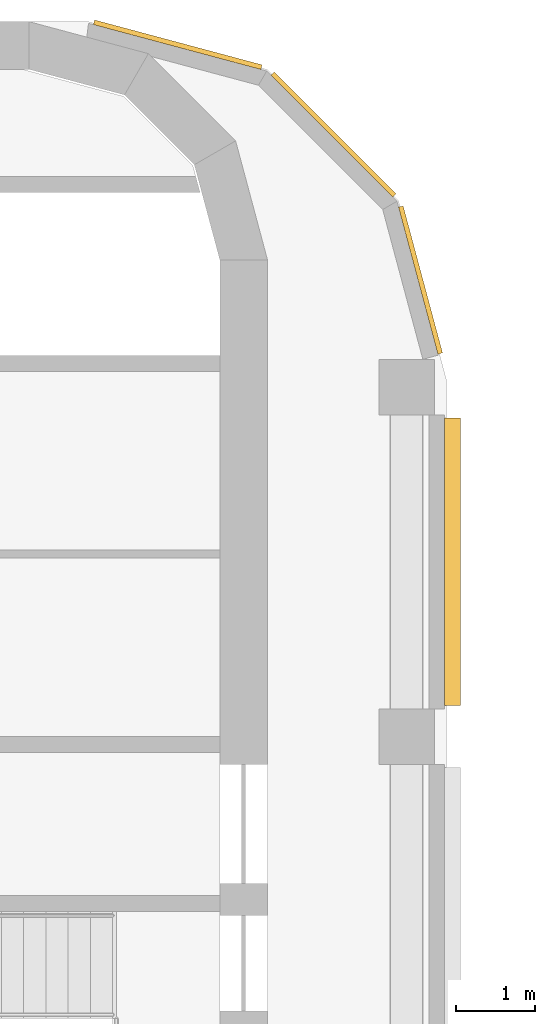
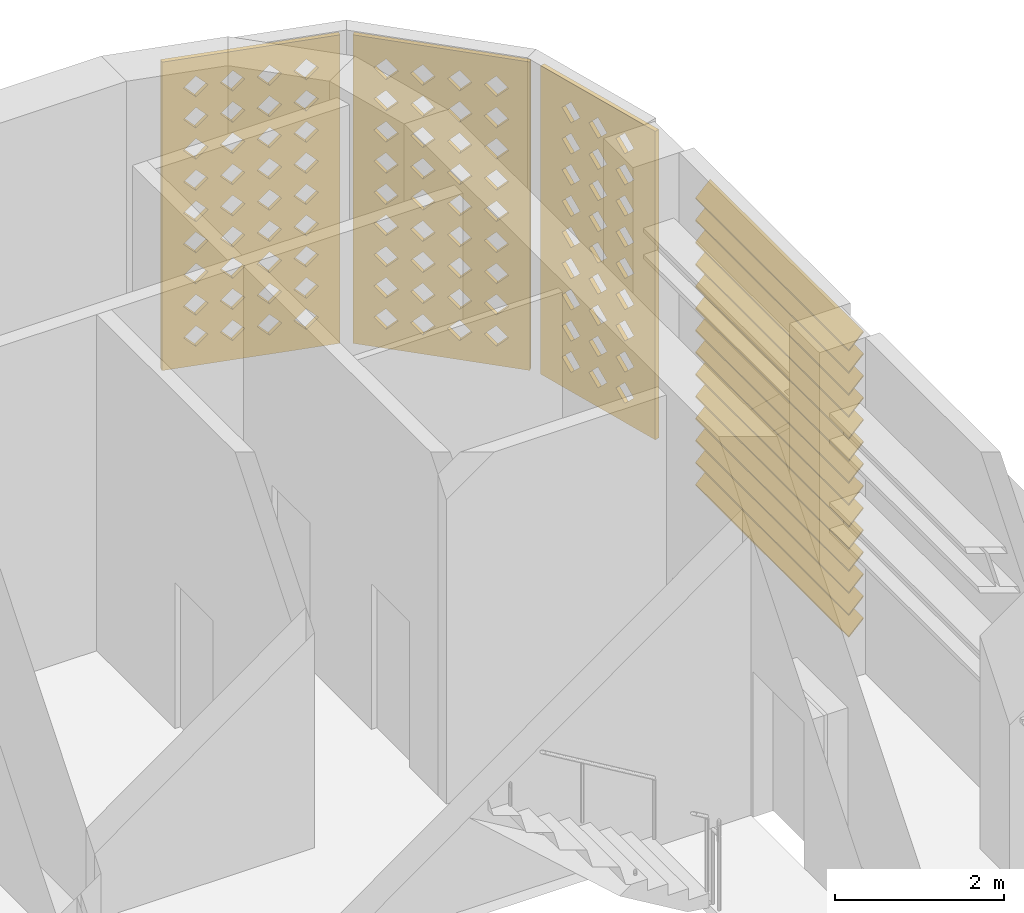
# One storey, part 19 of 20: 3 coverings, 1 shading device.
"""IFC4 building model written with IfcOpenShell, lengths in metres."""

import ifcopenshell
import ifcopenshell.guid

model = None  # the IFC model being written
_history = None  # IfcOwnerHistory: only IFC2X3 demands one
_inside = {}  # id of a spatial element -> (the spatial element, [elements in it])
_under = {}  # id of a project, library or spatial element -> (it, [spatial elements below it])
_declared = {}  # id of a project -> (the project, [libraries it declares])
_typed = {}  # id of a type object -> (the type object, [elements of that type])
_made_of = {}  # id of a material, layer set ... -> (it, [elements and type objects made of it])


def new_model(schema):
    """Start an empty IFC model of exactly this schema.

    Asked for "IFC4X3", IfcOpenShell would pick the latest addendum, in which some entities
    have other attributes; the version numbers below select the first issue.
    IFC2X3 requires an IfcOwnerHistory on every rooted entity: one is made here for all.
    """
    global model, _history
    if schema == "IFC4X3":
        model = ifcopenshell.file(schema_version=(4, 3, 0, 0))
    else:
        model = ifcopenshell.file(schema=schema)
    _inside.clear()
    _under.clear()
    _declared.clear()
    _typed.clear()
    _made_of.clear()
    _history = None
    if model.schema == "IFC2X3":
        org = make("IfcOrganization", Name="unknown")
        user = make(
            "IfcPersonAndOrganization",
            ThePerson=make("IfcPerson", FamilyName="unknown"),
            TheOrganization=org,
        )
        app = make(
            "IfcApplication",
            ApplicationDeveloper=org,
            Version="unknown",
            ApplicationFullName="unknown",
            ApplicationIdentifier="unknown",
        )
        _history = make(
            "IfcOwnerHistory",
            OwningUser=user,
            OwningApplication=app,
            ChangeAction="ADDED",
            CreationDate=0,
        )
    return model


def make(cls, **values):
    """One entity of the class cls with the attributes given. An attribute that is None is left unset."""
    return model.create_entity(
        cls, **{name: value for name, value in values.items() if value is not None}
    )


def rooted(cls, **values):
    """An entity with a GlobalId (a new one), such as an element, a storey or a relation."""
    return make(cls, GlobalId=ifcopenshell.guid.new(), OwnerHistory=_history, **values)


def si_unit(unit_type, name, prefix=None):
    """IfcSIUnit, for example si_unit("LENGTHUNIT", "METRE", prefix="MILLI")."""
    return make("IfcSIUnit", UnitType=unit_type, Prefix=prefix, Name=name)


def assignment(units):
    """IfcUnitAssignment: the units of a project."""
    return None if units is None else make("IfcUnitAssignment", Units=units)


def point(xyz):
    """IfcCartesianPoint."""
    return None if xyz is None else make("IfcCartesianPoint", Coordinates=xyz)


def direction(xyz):
    """IfcDirection."""
    return None if xyz is None else make("IfcDirection", DirectionRatios=xyz)


def frame(location, z_axis=None, x_axis=None):
    """IfcAxis2Placement3D, a coordinate frame: its origin and axes. An axis left out is left unset."""
    return make(
        "IfcAxis2Placement3D",
        Location=point(location),
        Axis=direction(z_axis),
        RefDirection=direction(x_axis),
    )


def origin():
    """The frame at (0, 0, 0) with its axes left unset."""
    return frame((0.0, 0.0, 0.0))


def place(relative_to, where):
    """IfcLocalPlacement: puts the frame where relative to a parent placement (None: the world)."""
    return make(
        "IfcLocalPlacement", PlacementRelTo=relative_to, RelativePlacement=where
    )


def context(
    kind, dimensions, precision=None, world=None, true_north=None, identifier=None
):
    """IfcGeometricRepresentationContext, for example the 3D "Model" context."""
    return make(
        "IfcGeometricRepresentationContext",
        ContextIdentifier=identifier,
        ContextType=kind,
        CoordinateSpaceDimension=dimensions,
        Precision=precision,
        WorldCoordinateSystem=world,
        TrueNorth=true_north,
    )


def subcontext(parent, identifier, kind, view, scale=None):
    """IfcGeometricRepresentationSubContext, for example "Body" below "Model"."""
    return make(
        "IfcGeometricRepresentationSubContext",
        ContextIdentifier=identifier,
        ContextType=kind,
        ParentContext=parent,
        TargetScale=scale,
        TargetView=view,
    )


def project(units=None, contexts=None):
    """IfcProject with its units and contexts."""
    return rooted(
        "IfcProject",
        Name="project",
        RepresentationContexts=contexts,
        UnitsInContext=assignment(units),
    )


def spatial(cls, under=None, at=None, **own):
    """A site, building, storey or space (cls), placed at a placement, below another one or the project."""
    s = rooted(cls, ObjectPlacement=at, **own)
    if under is not None:
        _under.setdefault(under.id(), (under, []))[1].append(s)
    return s


def polyline(points):
    """IfcPolyline through the points."""
    return make("IfcPolyline", Points=[point(p) for p in points])


def outline(outer, holes=None, kind="AREA"):
    """IfcArbitraryClosedProfileDef: a profile drawn as a closed curve; with holes, ...WithVoids."""
    if holes is None:
        return make("IfcArbitraryClosedProfileDef", ProfileType=kind, OuterCurve=outer)
    return make(
        "IfcArbitraryProfileDefWithVoids",
        ProfileType=kind,
        OuterCurve=outer,
        InnerCurves=holes,
    )


def extrude(swept, where, along, depth):
    """IfcExtrudedAreaSolid: the profile swept, set in the frame where, extruded along a direction by depth."""
    return make(
        "IfcExtrudedAreaSolid",
        SweptArea=swept,
        Position=where,
        ExtrudedDirection=direction(along),
        Depth=depth,
    )


def shape(context_of_items, identifier, shape_type, items):
    """IfcShapeRepresentation: the items that make up one representation, for example the "Body"."""
    return make(
        "IfcShapeRepresentation",
        ContextOfItems=context_of_items,
        RepresentationIdentifier=identifier,
        RepresentationType=shape_type,
        Items=items,
    )


def source(mapping_origin, context_of_items, identifier, shape_type, items):
    """IfcRepresentationMap: a shape defined once, which mapped items show again and again."""
    return make(
        "IfcRepresentationMap",
        MappingOrigin=mapping_origin,
        MappedRepresentation=shape(context_of_items, identifier, shape_type, items),
    )


def transform(
    local_origin,
    x_axis=None,
    y_axis=None,
    z_axis=None,
    scale=None,
    scale2=None,
    scale3=None,
    uniform=True,
):
    """IfcCartesianTransformationOperator3D, or its non-uniform kind. x_axis, y_axis, z_axis: its Axis1, 2, 3."""
    if uniform:
        return make(
            "IfcCartesianTransformationOperator3D",
            Axis1=direction(x_axis),
            Axis2=direction(y_axis),
            LocalOrigin=point(local_origin),
            Scale=scale,
            Axis3=direction(z_axis),
        )
    return make(
        "IfcCartesianTransformationOperator3DnonUniform",
        Axis1=direction(x_axis),
        Axis2=direction(y_axis),
        LocalOrigin=point(local_origin),
        Scale=scale,
        Axis3=direction(z_axis),
        Scale2=scale2,
        Scale3=scale3,
    )


def mapped(mapping_source, mapping_target):
    """IfcMappedItem: shows the shape of a source again, moved by a transform."""
    return make(
        "IfcMappedItem", MappingSource=mapping_source, MappingTarget=mapping_target
    )


def material(Name=None, Category=None):
    """IfcMaterial."""
    return make("IfcMaterial", Name=Name, Category=Category)


def layer(
    of_material, thickness, ventilated=None, Name=None, Category=None, Priority=None
):
    """IfcMaterialLayer: one layer of a wall or slab, of a material (None: an air gap)."""
    return make(
        "IfcMaterialLayer",
        Material=of_material,
        LayerThickness=thickness,
        IsVentilated=ventilated,
        Name=Name,
        Category=Category,
        Priority=Priority,
    )


def layer_set(layers, Name=None):
    """IfcMaterialLayerSet."""
    return make("IfcMaterialLayerSet", MaterialLayers=layers, LayerSetName=Name)


def made_of(thing, what):
    """Note that an element or type object is made of a material, layer set ...; save() writes the relation."""
    if what is not None:
        _made_of.setdefault(what.id(), (what, []))[1].append(thing)
    return thing


def type_object(cls, material=None, **own):
    """A type object (cls), such as IfcWallType, which elements share."""
    return made_of(rooted(cls, **own), material)


def element(
    cls,
    number,
    at=None,
    inside=None,
    cuts=None,
    type_object=None,
    material=None,
    context=None,
    identifier="Body",
    shape_type=None,
    held_by="IfcProductDefinitionShape",
    body=None,
    shapes=None,
    **own,
):
    """One element of the class cls, such as IfcWall. Its Tag is "e" and its number.

    at: its placement. inside: the storey or other place that contains it. cuts: it is an
    opening in that element (IfcRelVoidsElement). A single representation is given by context,
    identifier, shape_type and body (its items); several are given by shapes. held_by: the class
    of the entity that holds the representations. save() writes the other relations.
    """
    e = rooted(cls, Tag="e%d" % number, ObjectPlacement=at, **own)
    if body is not None:
        shapes = [shape(context, identifier, shape_type, body)]
    if shapes is not None:
        e.Representation = make(held_by, Representations=shapes)
    if inside is not None:
        _inside.setdefault(inside.id(), (inside, []))[1].append(e)
    if cuts is not None:
        rooted(
            "IfcRelVoidsElement", RelatingBuildingElement=cuts, RelatedOpeningElement=e
        )
    if type_object is not None:
        _typed.setdefault(type_object.id(), (type_object, []))[1].append(e)
    return made_of(e, material)


def aggregate(whole, parts):
    """IfcRelAggregates: a whole, such as a stair, and the parts it consists of."""
    return rooted("IfcRelAggregates", RelatingObject=whole, RelatedObjects=parts)


def save(model, path):
    """Write the relations noted so far, then the file.

    IfcRelAggregates (storeys below a building ...), IfcRelContainedInSpatialStructure (elements
    in a storey), IfcRelDefinesByType, IfcRelAssociatesMaterial and IfcRelDeclares: one each for
    every whole, place, type object, material and project.
    """
    for whole, parts in _under.values():
        aggregate(whole, parts)
    for where, things in _inside.values():
        rooted(
            "IfcRelContainedInSpatialStructure",
            RelatedElements=things,
            RelatingStructure=where,
        )
    for kind, things in _typed.values():
        rooted("IfcRelDefinesByType", RelatedObjects=things, RelatingType=kind)
    for what, things in _made_of.values():
        rooted("IfcRelAssociatesMaterial", RelatedObjects=things, RelatingMaterial=what)
    for by, libraries in _declared.values():
        rooted("IfcRelDeclares", RelatingContext=by, RelatedDefinitions=libraries)
    model.write(path)


model = new_model("IFC4")

# Units and contexts
model_context = context("Model", 3, precision=1e-05, world=origin(), true_north=direction((0.0, 1.0)))
body_context = subcontext(model_context, "Body", "Model", "MODEL_VIEW")
ifc_project = project(units=[si_unit("LENGTHUNIT", "METRE"), si_unit("AREAUNIT", "SQUARE_METRE"), si_unit("VOLUMEUNIT", "CUBIC_METRE"), si_unit("PLANEANGLEUNIT", "RADIAN"), si_unit("MASSUNIT", "GRAM", prefix="KILO")], contexts=[model_context])

# Site, building, storey
site_placement = place(None, origin())
site = spatial("IfcSite", under=ifc_project, at=site_placement, CompositionType="ELEMENT")
building_placement = place(site_placement, origin())
building = spatial("IfcBuilding", under=site, at=building_placement, Name="Zarbagh Exchange Tower", CompositionType="ELEMENT")
storey_placement = place(building_placement, frame((0.0, 0.0, 244.800048828125)))
storey = spatial("IfcBuildingStorey", under=building, at=storey_placement, Name="L60", CompositionType="ELEMENT", Elevation=244.800048828125)

# Coverings
ifc_material_1 = material(Name="Glass-fibre reinforced concrete GFRC C50/60", Category="concrete")
ifc_layer = layer(ifc_material_1, 0.06005859375)
ifc_layer_set = layer_set([ifc_layer], Name="SCREEN jali panel, GFRC")
covering_type = type_object("IfcCoveringType", Name="SCREEN jali panel, GFRC", PredefinedType="CLADDING", material=ifc_layer_set)
shared_shape_1 = source(origin(), body_context, "Body", "SweptSolid", [
    extrude(outline(polyline([(0.0, 0.0), (2.1650390625, 0.0), (2.1650390625, 4.449951171875), (0.0, 4.449951171875), (0.0, 0.0)]), holes=[polyline([(0.257568359375, 0.425048828125), (0.407470703125, 0.27490234375), (0.5576171875, 0.425048828125), (0.407470703125, 0.574951171875), (0.257568359375, 0.425048828125)]), polyline([(0.257568359375, 0.875), (0.407470703125, 0.72509765625), (0.5576171875, 0.875), (0.407470703125, 1.02490234375), (0.257568359375, 0.875)]), polyline([(0.257568359375, 1.324951171875), (0.407470703125, 1.175048828125), (0.5576171875, 1.324951171875), (0.407470703125, 1.47509765625), (0.257568359375, 1.324951171875)]), polyline([(0.257568359375, 1.77490234375), (0.407470703125, 1.625), (0.5576171875, 1.77490234375), (0.407470703125, 1.925048828125), (0.257568359375, 1.77490234375)]), polyline([(0.257568359375, 2.22509765625), (0.407470703125, 2.074951171875), (0.5576171875, 2.22509765625), (0.407470703125, 2.375), (0.257568359375, 2.22509765625)]), polyline([(0.257568359375, 2.675048828125), (0.407470703125, 2.52490234375), (0.5576171875, 2.675048828125), (0.407470703125, 2.824951171875), (0.257568359375, 2.675048828125)]), polyline([(0.257568359375, 3.125), (0.407470703125, 2.97509765625), (0.5576171875, 3.125), (0.407470703125, 3.27490234375), (0.257568359375, 3.125)]), polyline([(0.257568359375, 3.574951171875), (0.407470703125, 3.425048828125), (0.5576171875, 3.574951171875), (0.407470703125, 3.72509765625), (0.257568359375, 3.574951171875)]), polyline([(0.257568359375, 4.02490234375), (0.407470703125, 3.875), (0.5576171875, 4.02490234375), (0.407470703125, 4.175048828125), (0.257568359375, 4.02490234375)]), polyline([(0.70751953125, 0.425048828125), (0.857421875, 0.27490234375), (1.007568359375, 0.425048828125), (0.857421875, 0.574951171875), (0.70751953125, 0.425048828125)]), polyline([(0.70751953125, 0.875), (0.857421875, 0.72509765625), (1.007568359375, 0.875), (0.857421875, 1.02490234375), (0.70751953125, 0.875)]), polyline([(0.70751953125, 1.324951171875), (0.857421875, 1.175048828125), (1.007568359375, 1.324951171875), (0.857421875, 1.47509765625), (0.70751953125, 1.324951171875)]), polyline([(0.70751953125, 1.77490234375), (0.857421875, 1.625), (1.007568359375, 1.77490234375), (0.857421875, 1.925048828125), (0.70751953125, 1.77490234375)]), polyline([(0.70751953125, 2.22509765625), (0.857421875, 2.074951171875), (1.007568359375, 2.22509765625), (0.857421875, 2.375), (0.70751953125, 2.22509765625)]), polyline([(0.70751953125, 2.675048828125), (0.857421875, 2.52490234375), (1.007568359375, 2.675048828125), (0.857421875, 2.824951171875), (0.70751953125, 2.675048828125)]), polyline([(0.70751953125, 3.125), (0.857421875, 2.97509765625), (1.007568359375, 3.125), (0.857421875, 3.27490234375), (0.70751953125, 3.125)]), polyline([(0.70751953125, 3.574951171875), (0.857421875, 3.425048828125), (1.007568359375, 3.574951171875), (0.857421875, 3.72509765625), (0.70751953125, 3.574951171875)]), polyline([(0.70751953125, 4.02490234375), (0.857421875, 3.875), (1.007568359375, 4.02490234375), (0.857421875, 4.175048828125), (0.70751953125, 4.02490234375)]), polyline([(1.157470703125, 0.425048828125), (1.3076171875, 0.27490234375), (1.45751953125, 0.425048828125), (1.3076171875, 0.574951171875), (1.157470703125, 0.425048828125)]), polyline([(1.157470703125, 0.875), (1.3076171875, 0.72509765625), (1.45751953125, 0.875), (1.3076171875, 1.02490234375), (1.157470703125, 0.875)]), polyline([(1.157470703125, 1.324951171875), (1.3076171875, 1.175048828125), (1.45751953125, 1.324951171875), (1.3076171875, 1.47509765625), (1.157470703125, 1.324951171875)]), polyline([(1.157470703125, 1.77490234375), (1.3076171875, 1.625), (1.45751953125, 1.77490234375), (1.3076171875, 1.925048828125), (1.157470703125, 1.77490234375)]), polyline([(1.157470703125, 2.22509765625), (1.3076171875, 2.074951171875), (1.45751953125, 2.22509765625), (1.3076171875, 2.375), (1.157470703125, 2.22509765625)]), polyline([(1.157470703125, 2.675048828125), (1.3076171875, 2.52490234375), (1.45751953125, 2.675048828125), (1.3076171875, 2.824951171875), (1.157470703125, 2.675048828125)]), polyline([(1.157470703125, 3.125), (1.3076171875, 2.97509765625), (1.45751953125, 3.125), (1.3076171875, 3.27490234375), (1.157470703125, 3.125)]), polyline([(1.157470703125, 3.574951171875), (1.3076171875, 3.425048828125), (1.45751953125, 3.574951171875), (1.3076171875, 3.72509765625), (1.157470703125, 3.574951171875)]), polyline([(1.157470703125, 4.02490234375), (1.3076171875, 3.875), (1.45751953125, 4.02490234375), (1.3076171875, 4.175048828125), (1.157470703125, 4.02490234375)]), polyline([(1.607421875, 0.425048828125), (1.757568359375, 0.27490234375), (1.907470703125, 0.425048828125), (1.757568359375, 0.574951171875), (1.607421875, 0.425048828125)]), polyline([(1.607421875, 0.875), (1.757568359375, 0.72509765625), (1.907470703125, 0.875), (1.757568359375, 1.02490234375), (1.607421875, 0.875)]), polyline([(1.607421875, 1.324951171875), (1.757568359375, 1.175048828125), (1.907470703125, 1.324951171875), (1.757568359375, 1.47509765625), (1.607421875, 1.324951171875)]), polyline([(1.607421875, 1.77490234375), (1.757568359375, 1.625), (1.907470703125, 1.77490234375), (1.757568359375, 1.925048828125), (1.607421875, 1.77490234375)]), polyline([(1.607421875, 2.22509765625), (1.757568359375, 2.074951171875), (1.907470703125, 2.22509765625), (1.757568359375, 2.375), (1.607421875, 2.22509765625)]), polyline([(1.607421875, 2.675048828125), (1.757568359375, 2.52490234375), (1.907470703125, 2.675048828125), (1.757568359375, 2.824951171875), (1.607421875, 2.675048828125)]), polyline([(1.607421875, 3.125), (1.757568359375, 2.97509765625), (1.907470703125, 3.125), (1.757568359375, 3.27490234375), (1.607421875, 3.125)]), polyline([(1.607421875, 3.574951171875), (1.757568359375, 3.425048828125), (1.907470703125, 3.574951171875), (1.757568359375, 3.72509765625), (1.607421875, 3.574951171875)]), polyline([(1.607421875, 4.02490234375), (1.757568359375, 3.875), (1.907470703125, 4.02490234375), (1.757568359375, 4.175048828125), (1.607421875, 4.02490234375)])]), origin(), (0.0, 0.0, 1.0), 0.06005859375),
])
placement = place(storey_placement, origin())
element("IfcCovering", 1, at=placement, inside=storey, type_object=covering_type, Name="JS70 jali screen", PredefinedType="CLADDING", context=body_context, shape_type="MappedRepresentation", body=[
    mapped(shared_shape_1, transform((6.074951171875, 27.0439453125, 0.199951171875), x_axis=(-0.707106781187, 0.707106781187, 0.0), y_axis=(0.0, 0.0, 1.0), z_axis=(0.707106781187, 0.707106781187, 0.0))),
])
shared_shape_2 = source(origin(), body_context, "Body", "SweptSolid", [
    extrude(outline(polyline([(0.0, 0.0), (2.181396484375, 0.0), (2.181396484375, 4.449951171875), (0.0, 4.449951171875), (0.0, 0.0)]), holes=[polyline([(0.265625, 0.425048828125), (0.415771484375, 0.27490234375), (0.565673828125, 0.425048828125), (0.415771484375, 0.574951171875), (0.265625, 0.425048828125)]), polyline([(0.265625, 0.875), (0.415771484375, 0.72509765625), (0.565673828125, 0.875), (0.415771484375, 1.02490234375), (0.265625, 0.875)]), polyline([(0.265625, 1.324951171875), (0.415771484375, 1.175048828125), (0.565673828125, 1.324951171875), (0.415771484375, 1.47509765625), (0.265625, 1.324951171875)]), polyline([(0.265625, 1.77490234375), (0.415771484375, 1.625), (0.565673828125, 1.77490234375), (0.415771484375, 1.925048828125), (0.265625, 1.77490234375)]), polyline([(0.265625, 2.22509765625), (0.415771484375, 2.074951171875), (0.565673828125, 2.22509765625), (0.415771484375, 2.375), (0.265625, 2.22509765625)]), polyline([(0.265625, 2.675048828125), (0.415771484375, 2.52490234375), (0.565673828125, 2.675048828125), (0.415771484375, 2.824951171875), (0.265625, 2.675048828125)]), polyline([(0.265625, 3.125), (0.415771484375, 2.97509765625), (0.565673828125, 3.125), (0.415771484375, 3.27490234375), (0.265625, 3.125)]), polyline([(0.265625, 3.574951171875), (0.415771484375, 3.425048828125), (0.565673828125, 3.574951171875), (0.415771484375, 3.72509765625), (0.265625, 3.574951171875)]), polyline([(0.265625, 4.02490234375), (0.415771484375, 3.875), (0.565673828125, 4.02490234375), (0.415771484375, 4.175048828125), (0.265625, 4.02490234375)]), polyline([(0.7158203125, 0.425048828125), (0.86572265625, 0.27490234375), (1.015625, 0.425048828125), (0.86572265625, 0.574951171875), (0.7158203125, 0.425048828125)]), polyline([(0.7158203125, 0.875), (0.86572265625, 0.72509765625), (1.015625, 0.875), (0.86572265625, 1.02490234375), (0.7158203125, 0.875)]), polyline([(0.7158203125, 1.324951171875), (0.86572265625, 1.175048828125), (1.015625, 1.324951171875), (0.86572265625, 1.47509765625), (0.7158203125, 1.324951171875)]), polyline([(0.7158203125, 1.77490234375), (0.86572265625, 1.625), (1.015625, 1.77490234375), (0.86572265625, 1.925048828125), (0.7158203125, 1.77490234375)]), polyline([(0.7158203125, 2.22509765625), (0.86572265625, 2.074951171875), (1.015625, 2.22509765625), (0.86572265625, 2.375), (0.7158203125, 2.22509765625)]), polyline([(0.7158203125, 2.675048828125), (0.86572265625, 2.52490234375), (1.015625, 2.675048828125), (0.86572265625, 2.824951171875), (0.7158203125, 2.675048828125)]), polyline([(0.7158203125, 3.125), (0.86572265625, 2.97509765625), (1.015625, 3.125), (0.86572265625, 3.27490234375), (0.7158203125, 3.125)]), polyline([(0.7158203125, 3.574951171875), (0.86572265625, 3.425048828125), (1.015625, 3.574951171875), (0.86572265625, 3.72509765625), (0.7158203125, 3.574951171875)]), polyline([(0.7158203125, 4.02490234375), (0.86572265625, 3.875), (1.015625, 4.02490234375), (0.86572265625, 4.175048828125), (0.7158203125, 4.02490234375)]), polyline([(1.165771484375, 0.425048828125), (1.315673828125, 0.27490234375), (1.4658203125, 0.425048828125), (1.315673828125, 0.574951171875), (1.165771484375, 0.425048828125)]), polyline([(1.165771484375, 0.875), (1.315673828125, 0.72509765625), (1.4658203125, 0.875), (1.315673828125, 1.02490234375), (1.165771484375, 0.875)]), polyline([(1.165771484375, 1.324951171875), (1.315673828125, 1.175048828125), (1.4658203125, 1.324951171875), (1.315673828125, 1.47509765625), (1.165771484375, 1.324951171875)]), polyline([(1.165771484375, 1.77490234375), (1.315673828125, 1.625), (1.4658203125, 1.77490234375), (1.315673828125, 1.925048828125), (1.165771484375, 1.77490234375)]), polyline([(1.165771484375, 2.22509765625), (1.315673828125, 2.074951171875), (1.4658203125, 2.22509765625), (1.315673828125, 2.375), (1.165771484375, 2.22509765625)]), polyline([(1.165771484375, 2.675048828125), (1.315673828125, 2.52490234375), (1.4658203125, 2.675048828125), (1.315673828125, 2.824951171875), (1.165771484375, 2.675048828125)]), polyline([(1.165771484375, 3.125), (1.315673828125, 2.97509765625), (1.4658203125, 3.125), (1.315673828125, 3.27490234375), (1.165771484375, 3.125)]), polyline([(1.165771484375, 3.574951171875), (1.315673828125, 3.425048828125), (1.4658203125, 3.574951171875), (1.315673828125, 3.72509765625), (1.165771484375, 3.574951171875)]), polyline([(1.165771484375, 4.02490234375), (1.315673828125, 3.875), (1.4658203125, 4.02490234375), (1.315673828125, 4.175048828125), (1.165771484375, 4.02490234375)]), polyline([(1.61572265625, 0.425048828125), (1.765625, 0.27490234375), (1.915771484375, 0.425048828125), (1.765625, 0.574951171875), (1.61572265625, 0.425048828125)]), polyline([(1.61572265625, 0.875), (1.765625, 0.72509765625), (1.915771484375, 0.875), (1.765625, 1.02490234375), (1.61572265625, 0.875)]), polyline([(1.61572265625, 1.324951171875), (1.765625, 1.175048828125), (1.915771484375, 1.324951171875), (1.765625, 1.47509765625), (1.61572265625, 1.324951171875)]), polyline([(1.61572265625, 1.77490234375), (1.765625, 1.625), (1.915771484375, 1.77490234375), (1.765625, 1.925048828125), (1.61572265625, 1.77490234375)]), polyline([(1.61572265625, 2.22509765625), (1.765625, 2.074951171875), (1.915771484375, 2.22509765625), (1.765625, 2.375), (1.61572265625, 2.22509765625)]), polyline([(1.61572265625, 2.675048828125), (1.765625, 2.52490234375), (1.915771484375, 2.675048828125), (1.765625, 2.824951171875), (1.61572265625, 2.675048828125)]), polyline([(1.61572265625, 3.125), (1.765625, 2.97509765625), (1.915771484375, 3.125), (1.765625, 3.27490234375), (1.61572265625, 3.125)]), polyline([(1.61572265625, 3.574951171875), (1.765625, 3.425048828125), (1.915771484375, 3.574951171875), (1.765625, 3.72509765625), (1.61572265625, 3.574951171875)]), polyline([(1.61572265625, 4.02490234375), (1.765625, 3.875), (1.915771484375, 4.02490234375), (1.765625, 4.175048828125), (1.61572265625, 4.02490234375)])]), origin(), (0.0, 0.0, 1.0), 0.06005859375),
])
element("IfcCovering", 2, at=placement, inside=storey, type_object=covering_type, Name="JS71 jali screen", PredefinedType="CLADDING", context=body_context, shape_type="MappedRepresentation", body=[
    mapped(shared_shape_2, transform((4.41552734375, 28.64892578125, 0.199951171875), x_axis=(-0.965924215207, 0.258825057666, 0.0), y_axis=(0.0, 0.0, 1.0), z_axis=(0.258825057666, 0.965924215207, 0.0))),
])

# Shading device
ifc_material_2 = material(Name="Anodised aluminium", Category="aluminium")
shading_device_type = type_object("IfcShadingDeviceType", Name="LOUVRE plant louvre, fixed blades", PredefinedType="USERDEFINED", material=ifc_material_2)
shared_shape_3 = source(origin(), body_context, "Body", "SweptSolid", [
    extrude(outline(polyline([(0.0, 0.199951171875), (0.199951171875, 0.0), (0.199951171875, -0.02001953125), (0.0, 0.179931640625), (0.0, 0.199951171875)])), origin(), (0.0, 0.0, 1.0), 3.6201171875),
])
element("IfcShadingDevice", 3, at=placement, inside=storey, type_object=shading_device_type, Name="LV17 plant louvre", ObjectType="LOUVRE", PredefinedType="USERDEFINED", context=body_context, shape_type="MappedRepresentation", body=[
    mapped(shared_shape_3, transform((6.72998046875, 20.64013671875, 0.199951171875), x_axis=(1.0, 0.0, 0.0), y_axis=(0.0, 0.0, -1.0), z_axis=(0.0, 1.0, 0.0))),
    mapped(shared_shape_3, transform((6.72998046875, 20.64013671875, 0.517822265625), x_axis=(1.0, 0.0, 0.0), y_axis=(0.0, 0.0, -1.0), z_axis=(0.0, 1.0, 0.0))),
    mapped(shared_shape_3, transform((6.72998046875, 20.64013671875, 0.835693359375), x_axis=(1.0, 0.0, 0.0), y_axis=(0.0, 0.0, -1.0), z_axis=(0.0, 1.0, 0.0))),
    mapped(shared_shape_3, transform((6.72998046875, 20.64013671875, 1.153564453125), x_axis=(1.0, 0.0, 0.0), y_axis=(0.0, 0.0, -1.0), z_axis=(0.0, 1.0, 0.0))),
    mapped(shared_shape_3, transform((6.72998046875, 20.64013671875, 1.471435546875), x_axis=(1.0, 0.0, 0.0), y_axis=(0.0, 0.0, -1.0), z_axis=(0.0, 1.0, 0.0))),
    mapped(shared_shape_3, transform((6.72998046875, 20.64013671875, 1.789306640625), x_axis=(1.0, 0.0, 0.0), y_axis=(0.0, 0.0, -1.0), z_axis=(0.0, 1.0, 0.0))),
    mapped(shared_shape_3, transform((6.72998046875, 20.64013671875, 2.107177734375), x_axis=(1.0, 0.0, 0.0), y_axis=(0.0, 0.0, -1.0), z_axis=(0.0, 1.0, 0.0))),
    mapped(shared_shape_3, transform((6.72998046875, 20.64013671875, 2.425048828125), x_axis=(1.0, 0.0, 0.0), y_axis=(0.0, 0.0, -1.0), z_axis=(0.0, 1.0, 0.0))),
    mapped(shared_shape_3, transform((6.72998046875, 20.64013671875, 2.742919921875), x_axis=(1.0, 0.0, 0.0), y_axis=(0.0, 0.0, -1.0), z_axis=(0.0, 1.0, 0.0))),
    mapped(shared_shape_3, transform((6.72998046875, 20.64013671875, 3.060546875), x_axis=(1.0, 0.0, 0.0), y_axis=(0.0, 0.0, -1.0), z_axis=(0.0, 1.0, 0.0))),
    mapped(shared_shape_3, transform((6.72998046875, 20.64013671875, 3.37841796875), x_axis=(1.0, 0.0, 0.0), y_axis=(0.0, 0.0, -1.0), z_axis=(0.0, 1.0, 0.0))),
    mapped(shared_shape_3, transform((6.72998046875, 20.64013671875, 3.6962890625), x_axis=(1.0, 0.0, 0.0), y_axis=(0.0, 0.0, -1.0), z_axis=(0.0, 1.0, 0.0))),
    mapped(shared_shape_3, transform((6.72998046875, 20.64013671875, 4.01416015625), x_axis=(1.0, 0.0, 0.0), y_axis=(0.0, 0.0, -1.0), z_axis=(0.0, 1.0, 0.0))),
    mapped(shared_shape_3, transform((6.72998046875, 20.64013671875, 4.33203125), x_axis=(1.0, 0.0, 0.0), y_axis=(0.0, 0.0, -1.0), z_axis=(0.0, 1.0, 0.0))),
])

# Covering
shared_shape_4 = source(origin(), body_context, "Body", "SweptSolid", [
    extrude(outline(polyline([(0.0, 0.0), (1.914794921875, 0.0), (1.914794921875, 4.449951171875), (0.0, 4.449951171875), (0.0, 0.0)]), holes=[polyline([(0.357421875, 0.425048828125), (0.50732421875, 0.27490234375), (0.657470703125, 0.425048828125), (0.50732421875, 0.574951171875), (0.357421875, 0.425048828125)]), polyline([(0.357421875, 0.875), (0.50732421875, 0.72509765625), (0.657470703125, 0.875), (0.50732421875, 1.02490234375), (0.357421875, 0.875)]), polyline([(0.357421875, 1.324951171875), (0.50732421875, 1.175048828125), (0.657470703125, 1.324951171875), (0.50732421875, 1.47509765625), (0.357421875, 1.324951171875)]), polyline([(0.357421875, 1.77490234375), (0.50732421875, 1.625), (0.657470703125, 1.77490234375), (0.50732421875, 1.925048828125), (0.357421875, 1.77490234375)]), polyline([(0.357421875, 2.22509765625), (0.50732421875, 2.074951171875), (0.657470703125, 2.22509765625), (0.50732421875, 2.375), (0.357421875, 2.22509765625)]), polyline([(0.357421875, 2.675048828125), (0.50732421875, 2.52490234375), (0.657470703125, 2.675048828125), (0.50732421875, 2.824951171875), (0.357421875, 2.675048828125)]), polyline([(0.357421875, 3.125), (0.50732421875, 2.97509765625), (0.657470703125, 3.125), (0.50732421875, 3.27490234375), (0.357421875, 3.125)]), polyline([(0.357421875, 3.574951171875), (0.50732421875, 3.425048828125), (0.657470703125, 3.574951171875), (0.50732421875, 3.72509765625), (0.357421875, 3.574951171875)]), polyline([(0.357421875, 4.02490234375), (0.50732421875, 3.875), (0.657470703125, 4.02490234375), (0.50732421875, 4.175048828125), (0.357421875, 4.02490234375)]), polyline([(0.807373046875, 0.425048828125), (0.95751953125, 0.27490234375), (1.107421875, 0.425048828125), (0.95751953125, 0.574951171875), (0.807373046875, 0.425048828125)]), polyline([(0.807373046875, 0.875), (0.95751953125, 0.72509765625), (1.107421875, 0.875), (0.95751953125, 1.02490234375), (0.807373046875, 0.875)]), polyline([(0.807373046875, 1.324951171875), (0.95751953125, 1.175048828125), (1.107421875, 1.324951171875), (0.95751953125, 1.47509765625), (0.807373046875, 1.324951171875)]), polyline([(0.807373046875, 1.77490234375), (0.95751953125, 1.625), (1.107421875, 1.77490234375), (0.95751953125, 1.925048828125), (0.807373046875, 1.77490234375)]), polyline([(0.807373046875, 2.22509765625), (0.95751953125, 2.074951171875), (1.107421875, 2.22509765625), (0.95751953125, 2.375), (0.807373046875, 2.22509765625)]), polyline([(0.807373046875, 2.675048828125), (0.95751953125, 2.52490234375), (1.107421875, 2.675048828125), (0.95751953125, 2.824951171875), (0.807373046875, 2.675048828125)]), polyline([(0.807373046875, 3.125), (0.95751953125, 2.97509765625), (1.107421875, 3.125), (0.95751953125, 3.27490234375), (0.807373046875, 3.125)]), polyline([(0.807373046875, 3.574951171875), (0.95751953125, 3.425048828125), (1.107421875, 3.574951171875), (0.95751953125, 3.72509765625), (0.807373046875, 3.574951171875)]), polyline([(0.807373046875, 4.02490234375), (0.95751953125, 3.875), (1.107421875, 4.02490234375), (0.95751953125, 4.175048828125), (0.807373046875, 4.02490234375)]), polyline([(1.25732421875, 0.425048828125), (1.407470703125, 0.27490234375), (1.557373046875, 0.425048828125), (1.407470703125, 0.574951171875), (1.25732421875, 0.425048828125)]), polyline([(1.25732421875, 0.875), (1.407470703125, 0.72509765625), (1.557373046875, 0.875), (1.407470703125, 1.02490234375), (1.25732421875, 0.875)]), polyline([(1.25732421875, 1.324951171875), (1.407470703125, 1.175048828125), (1.557373046875, 1.324951171875), (1.407470703125, 1.47509765625), (1.25732421875, 1.324951171875)]), polyline([(1.25732421875, 1.77490234375), (1.407470703125, 1.625), (1.557373046875, 1.77490234375), (1.407470703125, 1.925048828125), (1.25732421875, 1.77490234375)]), polyline([(1.25732421875, 2.22509765625), (1.407470703125, 2.074951171875), (1.557373046875, 2.22509765625), (1.407470703125, 2.375), (1.25732421875, 2.22509765625)]), polyline([(1.25732421875, 2.675048828125), (1.407470703125, 2.52490234375), (1.557373046875, 2.675048828125), (1.407470703125, 2.824951171875), (1.25732421875, 2.675048828125)]), polyline([(1.25732421875, 3.125), (1.407470703125, 2.97509765625), (1.557373046875, 3.125), (1.407470703125, 3.27490234375), (1.25732421875, 3.125)]), polyline([(1.25732421875, 3.574951171875), (1.407470703125, 3.425048828125), (1.557373046875, 3.574951171875), (1.407470703125, 3.72509765625), (1.25732421875, 3.574951171875)]), polyline([(1.25732421875, 4.02490234375), (1.407470703125, 3.875), (1.557373046875, 4.02490234375), (1.407470703125, 4.175048828125), (1.25732421875, 4.02490234375)])]), origin(), (0.0, 0.0, 1.0), 0.06005859375),
])
element("IfcCovering", 4, at=placement, inside=storey, type_object=covering_type, Name="JS69 jali screen", PredefinedType="CLADDING", context=body_context, shape_type="MappedRepresentation", body=[
    mapped(shared_shape_4, transform((6.64453125, 25.06591796875, 0.199951171875), x_axis=(-0.258825057666, 0.965924215207, 0.0), y_axis=(0.0, 0.0, 1.0), z_axis=(0.965924215207, 0.258825057666, 0.0))),
])

save(model, "model.ifc")
